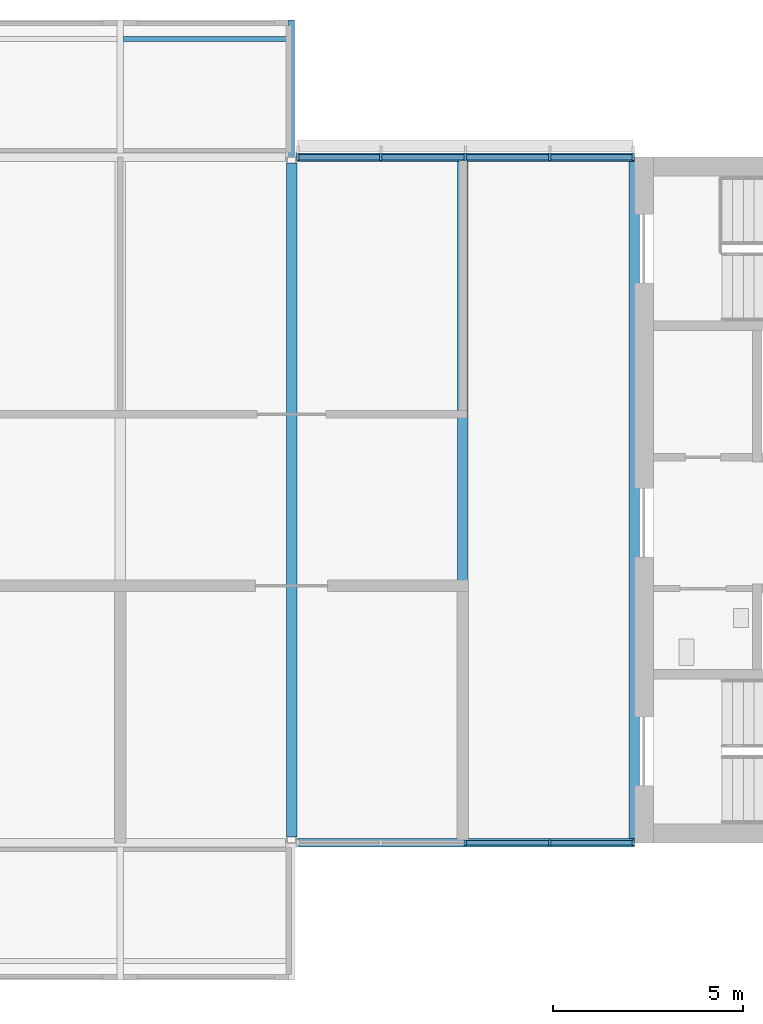
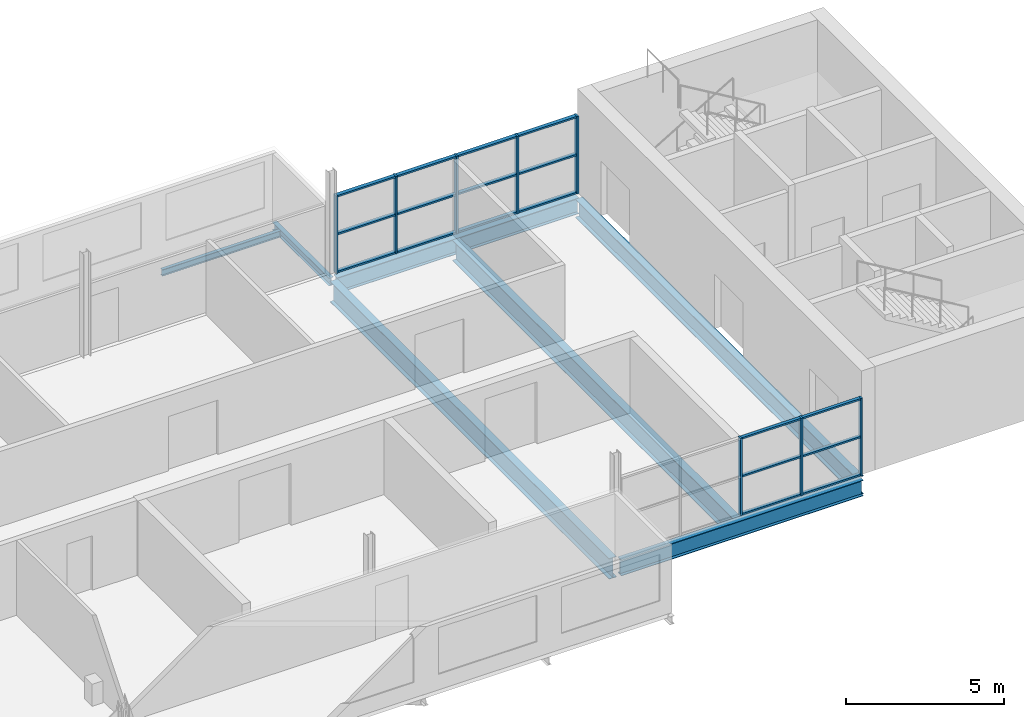
# One storey, part 3 of 10: 26 members, 7 beams, 2 elements without a shape of their own.
"""IFC4 building model written with IfcOpenShell, lengths in metres."""

from ifc_helpers import new_model, si_unit, direction, frame, origin, origin_2d, place, context, subcontext, project, spatial, rectangle, i_section, extrude, material, layer, layer_set, material_profile, profile_set, type_object, element, aggregate, save


model = new_model("IFC4")

# Units and contexts
model_context = context("Model", 3, precision=1e-05, world=origin(), true_north=direction((0.0, 1.0)))
body_context = subcontext(model_context, "Body", "Model", "MODEL_VIEW")
ifc_project = project(units=[si_unit("LENGTHUNIT", "METRE"), si_unit("AREAUNIT", "SQUARE_METRE"), si_unit("VOLUMEUNIT", "CUBIC_METRE"), si_unit("PLANEANGLEUNIT", "RADIAN"), si_unit("MASSUNIT", "GRAM", prefix="KILO")], contexts=[model_context])

# Site, building, storey
site_placement = place(None, origin())
site = spatial("IfcSite", under=ifc_project, at=site_placement, CompositionType="ELEMENT")
building_placement = place(site_placement, origin())
building = spatial("IfcBuilding", under=site, at=building_placement, Name="Corbel Yard City Hall", CompositionType="ELEMENT")
storey_placement = place(building_placement, frame((0.0, 0.0, 67.199951171875)))
storey = spatial("IfcBuildingStorey", under=building, at=storey_placement, Name="L16", CompositionType="ELEMENT", Elevation=67.199951171875)

# Beams
ifc_material_1 = material(Name="Steel Grade 300 (300 MPa yield)", Category="steel")
ifc_material_profile_1 = material_profile(ifc_material_1, i_section(OverallWidth=0.22900390625, OverallDepth=0.612060546875, WebThickness=0.011962890625, FlangeThickness=0.01953125, at=origin_2d()), Name="610UB125")
ifc_profile_set_1 = profile_set([ifc_material_profile_1], Name="Steel Grade 300 (300 MPa yield)")
beam_type_1 = type_object("IfcBeamType", Name="Edge beam 610UB125", PredefinedType="BEAM", material=ifc_profile_set_1)
for number, where, z_axis, x_axis, name in (
    (1, (36.157470703125, 99.0, -0.4560546875), (1.0, 0.0, 0.0), (0.0, 1.0, 0.0), "Edge beam 610UB125 EB7 L16tower"),
    (2, (36.157470703125, 117.0, -0.4560546875), (1.0, 0.0, 0.0), (0.0, 1.0, 0.0), "Edge beam 610UB125 EB7 L16tower"),
):
    element("IfcBeam", number, at=place(storey_placement, frame(where, z_axis=z_axis, x_axis=x_axis)), inside=storey, type_object=beam_type_1, Name=name, PredefinedType="BEAM", context=body_context, shape_type="SweptSolid", body=[
        extrude(i_section(OverallWidth=0.22900390625, OverallDepth=0.612060546875, WebThickness=0.011962890625, FlangeThickness=0.01953125, at=origin_2d()), origin(), (0.0, 0.0, 1.0), 8.842529296875),
    ])
ifc_material_2 = material(Name="Steel Grade 350", Category="steel")
ifc_material_profile_2 = material_profile(ifc_material_2, i_section(OverallWidth=0.27490234375, OverallDepth=0.800048828125, WebThickness=0.010009765625, FlangeThickness=0.02001953125, at=origin_2d()), Name="800WB146")
ifc_profile_set_2 = profile_set([ifc_material_profile_2], Name="Steel Grade 350")
beam_type_2 = type_object("IfcBeamType", Name="Long-span beam 800WB146", PredefinedType="BEAM", material=ifc_profile_set_2)
beam_1_placement = place(storey_placement, frame((36.0, 99.153564453125, -0.550048828125), z_axis=(0.0, 1.0, 0.0), x_axis=(-1.0, 0.0, 0.0)))
element("IfcBeam", 3, at=beam_1_placement, inside=storey, type_object=beam_type_2, Name="Long-span beam 800WB146 SB8 L16tower", PredefinedType="BEAM", context=body_context, shape_type="SweptSolid", body=[
    extrude(i_section(OverallWidth=0.27490234375, OverallDepth=0.800048828125, WebThickness=0.010009765625, FlangeThickness=0.02001953125, at=origin_2d()), origin(), (0.0, 0.0, 1.0), 17.69287109375),
])
ifc_material_profile_3 = material_profile(ifc_material_2, i_section(OverallWidth=0.27490234375, OverallDepth=0.716064453125, WebThickness=0.010009765625, FlangeThickness=0.028076171875, at=origin_2d()), Name="700WB173")
ifc_profile_set_3 = profile_set([ifc_material_profile_3], Name="Steel Grade 350")
beam_type_3 = type_object("IfcBeamType", Name="Long-span edge beam 700WB173", PredefinedType="BEAM", material=ifc_profile_set_3)
beam_2_placement = place(storey_placement, frame((45.0, 99.114501953125, -0.508056640625), z_axis=(0.0, 1.0, 0.0), x_axis=(-1.0, 0.0, 0.0)))
element("IfcBeam", 4, at=beam_2_placement, inside=storey, type_object=beam_type_3, Name="Long-span edge beam 700WB173 EB10 L16tower", PredefinedType="BEAM", context=body_context, shape_type="SweptSolid", body=[
    extrude(i_section(OverallWidth=0.27490234375, OverallDepth=0.716064453125, WebThickness=0.010009765625, FlangeThickness=0.028076171875, at=origin_2d()), origin(), (0.0, 0.0, 1.0), 17.77099609375),
])
ifc_material_profile_4 = material_profile(ifc_material_2, i_section(OverallWidth=0.27490234375, OverallDepth=0.800048828125, WebThickness=0.010009765625, FlangeThickness=0.02001953125, at=origin_2d()), Name="800WB146")
ifc_profile_set_4 = profile_set([ifc_material_profile_4], Name="Steel Grade 350")
beam_type_4 = type_object("IfcBeamType", Name="Long-span secondary beam 800WB146", PredefinedType="JOIST", material=ifc_profile_set_4)
beam_3_placement = place(storey_placement, frame((40.5, 99.114501953125, -0.550048828125), z_axis=(0.0, 1.0, 0.0), x_axis=(-1.0, 0.0, 0.0)))
element("IfcBeam", 5, at=beam_3_placement, inside=storey, type_object=beam_type_4, Name="Long-span secondary beam 800WB146 SB7 L16tower", PredefinedType="JOIST", context=body_context, shape_type="SweptSolid", body=[
    extrude(i_section(OverallWidth=0.27490234375, OverallDepth=0.800048828125, WebThickness=0.010009765625, FlangeThickness=0.02001953125, at=origin_2d()), origin(), (0.0, 0.0, 1.0), 17.77099609375),
])

# Curtain wall, members
ifc_material_3 = material(Name="Aluminium extrusion", Category="aluminium")
ifc_layer_1 = layer(ifc_material_3, 0.14990234375)
ifc_layer_set_1 = layer_set([ifc_layer_1], Name="Aluminium extrusion")
curtain_wall_type_1 = type_object("IfcCurtainWallType", Name="CW2", PredefinedType="USERDEFINED", material=ifc_layer_set_1)
curtain_wall_1_placement = place(storey_placement, origin())
curtain_wall_1 = element("IfcCurtainWall", 6, at=curtain_wall_1_placement, inside=storey, type_object=curtain_wall_type_1, Name="Curtain wall CW2 L16", ObjectType="CURTAIN WALL", PredefinedType="USERDEFINED")
ifc_material_profile_5 = material_profile(ifc_material_3, rectangle(XDim=0.14990234375, YDim=0.06494140625, at=origin_2d()), Name="150x65")
ifc_profile_set_5 = profile_set([ifc_material_profile_5], Name="Aluminium extrusion")
member_type_1 = type_object("IfcMemberType", Name="ML2", PredefinedType="MULLION", material=ifc_profile_set_5)
member_1_placement = place(storey_placement, frame((40.56494140625, 99.0, 0.0), z_axis=(0.0, 0.0, 1.0), x_axis=(0.0, 1.0, 0.0)))
member_1 = element("IfcMember", 7, at=member_1_placement, type_object=member_type_1, Name="CW2 mullion 3", PredefinedType="MULLION", context=body_context, shape_type="SweptSolid", body=[
    extrude(rectangle(XDim=0.14990234375, YDim=0.06494140625, at=origin_2d()), origin(), (0.0, 0.0, 1.0), 3.0),
])
member_2_placement = place(storey_placement, frame((42.782470703125, 99.0, 0.0), z_axis=(0.0, 0.0, 1.0), x_axis=(0.0, 1.0, 0.0)))
member_2 = element("IfcMember", 8, at=member_2_placement, type_object=member_type_1, Name="CW2 mullion 4", PredefinedType="MULLION", context=body_context, shape_type="SweptSolid", body=[
    extrude(rectangle(XDim=0.14990234375, YDim=0.06494140625, at=origin_2d()), origin(), (0.0, 0.0, 1.0), 3.0),
])
member_3_placement = place(storey_placement, frame((44.967529296875, 99.0, 0.0), z_axis=(0.0, 0.0, 1.0), x_axis=(0.0, 1.0, 0.0)))
member_3 = element("IfcMember", 9, at=member_3_placement, type_object=member_type_1, Name="CW2 mullion 5", PredefinedType="MULLION", context=body_context, shape_type="SweptSolid", body=[
    extrude(rectangle(XDim=0.14990234375, YDim=0.06494140625, at=origin_2d()), origin(), (0.0, 0.0, 1.0), 3.0),
])

ifc_layer_2 = layer(ifc_material_3, 0.179931640625)
ifc_layer_set_2 = layer_set([ifc_layer_2], Name="Aluminium extrusion")
curtain_wall_type_2 = type_object("IfcCurtainWallType", Name="CW6", PredefinedType="USERDEFINED", material=ifc_layer_set_2)
curtain_wall_2_placement = place(storey_placement, origin())
curtain_wall_2 = element("IfcCurtainWall", 10, at=curtain_wall_2_placement, inside=storey, type_object=curtain_wall_type_2, Name="Curtain wall CW6 L16", ObjectType="CURTAIN WALL", PredefinedType="USERDEFINED")
ifc_material_profile_6 = material_profile(ifc_material_3, rectangle(XDim=0.179931640625, YDim=0.06494140625, at=origin_2d()), Name="180x65")
ifc_profile_set_6 = profile_set([ifc_material_profile_6], Name="Aluminium extrusion")
member_type_2 = type_object("IfcMemberType", Name="ML6", PredefinedType="MULLION", material=ifc_profile_set_6)
member_4_placement = place(storey_placement, frame((36.16259765625, 117.0, 0.0), z_axis=(0.0, 0.0, 1.0), x_axis=(0.0, 1.0, 0.0)))
member_4 = element("IfcMember", 11, at=member_4_placement, type_object=member_type_2, Name="CW6 mullion 1", PredefinedType="MULLION", context=body_context, shape_type="SweptSolid", body=[
    extrude(rectangle(XDim=0.179931640625, YDim=0.06494140625, at=origin_2d()), origin(), (0.0, 0.0, 1.0), 3.0),
])
member_5_placement = place(storey_placement, frame((38.347412109375, 117.0, 0.0), z_axis=(0.0, 0.0, 1.0), x_axis=(0.0, 1.0, 0.0)))
member_5 = element("IfcMember", 12, at=member_5_placement, type_object=member_type_2, Name="CW6 mullion 2", PredefinedType="MULLION", context=body_context, shape_type="SweptSolid", body=[
    extrude(rectangle(XDim=0.179931640625, YDim=0.06494140625, at=origin_2d()), origin(), (0.0, 0.0, 1.0), 3.0),
])
member_6_placement = place(storey_placement, frame((40.56494140625, 117.0, 0.0), z_axis=(0.0, 0.0, 1.0), x_axis=(0.0, 1.0, 0.0)))
member_6 = element("IfcMember", 13, at=member_6_placement, type_object=member_type_2, Name="CW6 mullion 3", PredefinedType="MULLION", context=body_context, shape_type="SweptSolid", body=[
    extrude(rectangle(XDim=0.179931640625, YDim=0.06494140625, at=origin_2d()), origin(), (0.0, 0.0, 1.0), 3.0),
])
member_7_placement = place(storey_placement, frame((42.782470703125, 117.0, 0.0), z_axis=(0.0, 0.0, 1.0), x_axis=(0.0, 1.0, 0.0)))
member_7 = element("IfcMember", 14, at=member_7_placement, type_object=member_type_2, Name="CW6 mullion 4", PredefinedType="MULLION", context=body_context, shape_type="SweptSolid", body=[
    extrude(rectangle(XDim=0.179931640625, YDim=0.06494140625, at=origin_2d()), origin(), (0.0, 0.0, 1.0), 3.0),
])
member_8_placement = place(storey_placement, frame((44.967529296875, 117.0, 0.0), z_axis=(0.0, 0.0, 1.0), x_axis=(0.0, 1.0, 0.0)))
member_8 = element("IfcMember", 15, at=member_8_placement, type_object=member_type_2, Name="CW6 mullion 5", PredefinedType="MULLION", context=body_context, shape_type="SweptSolid", body=[
    extrude(rectangle(XDim=0.179931640625, YDim=0.06494140625, at=origin_2d()), origin(), (0.0, 0.0, 1.0), 3.0),
])

# Beams
ifc_material_profile_7 = material_profile(ifc_material_1, i_section(OverallWidth=0.166015625, OverallDepth=0.306884765625, WebThickness=0.006591796875, FlangeThickness=0.01171875, at=origin_2d()), Name="310UB46.2")
ifc_profile_set_7 = profile_set([ifc_material_profile_7], Name="Steel Grade 300 (300 MPa yield)")
beam_type_5 = type_object("IfcBeamType", Name="Pod stub beam 310UB46.2", PredefinedType="BEAM", material=ifc_profile_set_7)
beam_4_placement = place(storey_placement, frame((36.0, 117.00537109375, -0.303466796875), z_axis=(0.0, 1.0, 0.0), x_axis=(-1.0, 0.0, 0.0)))
element("IfcBeam", 16, at=beam_4_placement, inside=storey, type_object=beam_type_5, Name="Pod stub 310UB46.2 CB1 L16", PredefinedType="BEAM", context=body_context, shape_type="SweptSolid", body=[
    extrude(i_section(OverallWidth=0.166015625, OverallDepth=0.306884765625, WebThickness=0.006591796875, FlangeThickness=0.01171875, at=origin_2d()), origin(), (0.0, 0.0, 1.0), 3.5947265625),
])
ifc_material_profile_8 = material_profile(ifc_material_1, i_section(OverallWidth=0.1240234375, OverallDepth=0.248046875, WebThickness=0.0048828125, FlangeThickness=0.008056640625, at=origin_2d()), Name="250UB25.7")
ifc_profile_set_8 = profile_set([ifc_material_profile_8], Name="Steel Grade 300 (300 MPa yield)")
beam_type_6 = type_object("IfcBeamType", Name="Pod tip beam", PredefinedType="BEAM", material=ifc_profile_set_8)
beam_5_placement = place(storey_placement, frame((31.5830078125, 120.10009765625, -0.27392578125), z_axis=(1.0, 0.0, 0.0), x_axis=(0.0, 1.0, 0.0)))
element("IfcBeam", 17, at=beam_5_placement, inside=storey, type_object=beam_type_6, Name="Pod tip beam", PredefinedType="BEAM", context=body_context, shape_type="SweptSolid", body=[
    extrude(i_section(OverallWidth=0.1240234375, OverallDepth=0.248046875, WebThickness=0.0048828125, FlangeThickness=0.008056640625, at=origin_2d()), origin(), (0.0, 0.0, 1.0), 4.333984375),
])

# Member
ifc_material_profile_9 = material_profile(ifc_material_3, rectangle(XDim=0.1201171875, YDim=0.06494140625, at=origin_2d()), Name="120x65")
ifc_profile_set_9 = profile_set([ifc_material_profile_9], Name="Aluminium extrusion")
member_type_3 = type_object("IfcMemberType", Name="TR2", PredefinedType="USERDEFINED", material=ifc_profile_set_9)
member_9_placement = place(storey_placement, frame((40.597412109375, 99.0, 0.032470703125), z_axis=(1.0, 0.0, 0.0), x_axis=(0.0, 1.0, 0.0)))
member_9 = element("IfcMember", 18, at=member_9_placement, type_object=member_type_3, Name="CW2 transom 3.1", ObjectType="TRANSOM", PredefinedType="USERDEFINED", context=body_context, shape_type="SweptSolid", body=[
    extrude(rectangle(XDim=0.1201171875, YDim=0.06494140625, at=origin_2d()), origin(), (0.0, 0.0, 1.0), 2.152587890625),
])

member_10_placement = place(storey_placement, frame((40.597412109375, 99.0, 1.5), z_axis=(1.0, 0.0, 0.0), x_axis=(0.0, 1.0, 0.0)))
member_10 = element("IfcMember", 19, at=member_10_placement, type_object=member_type_3, Name="CW2 transom 3.2", ObjectType="TRANSOM", PredefinedType="USERDEFINED", context=body_context, shape_type="SweptSolid", body=[
    extrude(rectangle(XDim=0.1201171875, YDim=0.06494140625, at=origin_2d()), origin(), (0.0, 0.0, 1.0), 2.152587890625),
])

member_11_placement = place(storey_placement, frame((40.597412109375, 99.0, 2.967529296875), z_axis=(1.0, 0.0, 0.0), x_axis=(0.0, 1.0, 0.0)))
member_11 = element("IfcMember", 20, at=member_11_placement, type_object=member_type_3, Name="CW2 transom 3.3", ObjectType="TRANSOM", PredefinedType="USERDEFINED", context=body_context, shape_type="SweptSolid", body=[
    extrude(rectangle(XDim=0.1201171875, YDim=0.06494140625, at=origin_2d()), origin(), (0.0, 0.0, 1.0), 2.152587890625),
])

member_12_placement = place(storey_placement, frame((42.81494140625, 99.0, 0.032470703125), z_axis=(1.0, 0.0, 0.0), x_axis=(0.0, 1.0, 0.0)))
member_12 = element("IfcMember", 21, at=member_12_placement, type_object=member_type_3, Name="CW2 transom 4.1", ObjectType="TRANSOM", PredefinedType="USERDEFINED", context=body_context, shape_type="SweptSolid", body=[
    extrude(rectangle(XDim=0.1201171875, YDim=0.06494140625, at=origin_2d()), origin(), (0.0, 0.0, 1.0), 2.1201171875),
])

member_13_placement = place(storey_placement, frame((42.81494140625, 99.0, 1.5), z_axis=(1.0, 0.0, 0.0), x_axis=(0.0, 1.0, 0.0)))
member_13 = element("IfcMember", 22, at=member_13_placement, type_object=member_type_3, Name="CW2 transom 4.2", ObjectType="TRANSOM", PredefinedType="USERDEFINED", context=body_context, shape_type="SweptSolid", body=[
    extrude(rectangle(XDim=0.1201171875, YDim=0.06494140625, at=origin_2d()), origin(), (0.0, 0.0, 1.0), 2.1201171875),
])

member_14_placement = place(storey_placement, frame((42.81494140625, 99.0, 2.967529296875), z_axis=(1.0, 0.0, 0.0), x_axis=(0.0, 1.0, 0.0)))
member_14 = element("IfcMember", 23, at=member_14_placement, type_object=member_type_3, Name="CW2 transom 4.3", ObjectType="TRANSOM", PredefinedType="USERDEFINED", context=body_context, shape_type="SweptSolid", body=[
    extrude(rectangle(XDim=0.1201171875, YDim=0.06494140625, at=origin_2d()), origin(), (0.0, 0.0, 1.0), 2.1201171875),
])

aggregate(curtain_wall_1, [member_1, member_2, member_3, member_9, member_10, member_11, member_12, member_13, member_14])

ifc_material_profile_10 = material_profile(ifc_material_3, rectangle(XDim=0.139892578125, YDim=0.06494140625, at=origin_2d()), Name="140x65")
ifc_profile_set_10 = profile_set([ifc_material_profile_10], Name="Aluminium extrusion")
member_type_4 = type_object("IfcMemberType", Name="TR6", PredefinedType="USERDEFINED", material=ifc_profile_set_10)
member_15_placement = place(storey_placement, frame((36.195068359375, 117.0, 0.032470703125), z_axis=(1.0, 0.0, 0.0), x_axis=(0.0, 1.0, 0.0)))
member_15 = element("IfcMember", 24, at=member_15_placement, type_object=member_type_4, Name="CW6 transom 1.1", ObjectType="TRANSOM", PredefinedType="USERDEFINED", context=body_context, shape_type="SweptSolid", body=[
    extrude(rectangle(XDim=0.139892578125, YDim=0.06494140625, at=origin_2d()), origin(), (0.0, 0.0, 1.0), 2.119873046875),
])

member_16_placement = place(storey_placement, frame((36.195068359375, 117.0, 1.5), z_axis=(1.0, 0.0, 0.0), x_axis=(0.0, 1.0, 0.0)))
member_16 = element("IfcMember", 25, at=member_16_placement, type_object=member_type_4, Name="CW6 transom 1.2", ObjectType="TRANSOM", PredefinedType="USERDEFINED", context=body_context, shape_type="SweptSolid", body=[
    extrude(rectangle(XDim=0.139892578125, YDim=0.06494140625, at=origin_2d()), origin(), (0.0, 0.0, 1.0), 2.119873046875),
])

member_17_placement = place(storey_placement, frame((36.195068359375, 117.0, 2.967529296875), z_axis=(1.0, 0.0, 0.0), x_axis=(0.0, 1.0, 0.0)))
member_17 = element("IfcMember", 26, at=member_17_placement, type_object=member_type_4, Name="CW6 transom 1.3", ObjectType="TRANSOM", PredefinedType="USERDEFINED", context=body_context, shape_type="SweptSolid", body=[
    extrude(rectangle(XDim=0.139892578125, YDim=0.06494140625, at=origin_2d()), origin(), (0.0, 0.0, 1.0), 2.119873046875),
])

member_18_placement = place(storey_placement, frame((38.3798828125, 117.0, 0.032470703125), z_axis=(1.0, 0.0, 0.0), x_axis=(0.0, 1.0, 0.0)))
member_18 = element("IfcMember", 27, at=member_18_placement, type_object=member_type_4, Name="CW6 transom 2.1", ObjectType="TRANSOM", PredefinedType="USERDEFINED", context=body_context, shape_type="SweptSolid", body=[
    extrude(rectangle(XDim=0.139892578125, YDim=0.06494140625, at=origin_2d()), origin(), (0.0, 0.0, 1.0), 2.152587890625),
])

member_19_placement = place(storey_placement, frame((38.3798828125, 117.0, 1.5), z_axis=(1.0, 0.0, 0.0), x_axis=(0.0, 1.0, 0.0)))
member_19 = element("IfcMember", 28, at=member_19_placement, type_object=member_type_4, Name="CW6 transom 2.2", ObjectType="TRANSOM", PredefinedType="USERDEFINED", context=body_context, shape_type="SweptSolid", body=[
    extrude(rectangle(XDim=0.139892578125, YDim=0.06494140625, at=origin_2d()), origin(), (0.0, 0.0, 1.0), 2.152587890625),
])

member_20_placement = place(storey_placement, frame((38.3798828125, 117.0, 2.967529296875), z_axis=(1.0, 0.0, 0.0), x_axis=(0.0, 1.0, 0.0)))
member_20 = element("IfcMember", 29, at=member_20_placement, type_object=member_type_4, Name="CW6 transom 2.3", ObjectType="TRANSOM", PredefinedType="USERDEFINED", context=body_context, shape_type="SweptSolid", body=[
    extrude(rectangle(XDim=0.139892578125, YDim=0.06494140625, at=origin_2d()), origin(), (0.0, 0.0, 1.0), 2.152587890625),
])

member_21_placement = place(storey_placement, frame((40.597412109375, 117.0, 0.032470703125), z_axis=(1.0, 0.0, 0.0), x_axis=(0.0, 1.0, 0.0)))
member_21 = element("IfcMember", 30, at=member_21_placement, type_object=member_type_4, Name="CW6 transom 3.1", ObjectType="TRANSOM", PredefinedType="USERDEFINED", context=body_context, shape_type="SweptSolid", body=[
    extrude(rectangle(XDim=0.139892578125, YDim=0.06494140625, at=origin_2d()), origin(), (0.0, 0.0, 1.0), 2.152587890625),
])

member_22_placement = place(storey_placement, frame((40.597412109375, 117.0, 1.5), z_axis=(1.0, 0.0, 0.0), x_axis=(0.0, 1.0, 0.0)))
member_22 = element("IfcMember", 31, at=member_22_placement, type_object=member_type_4, Name="CW6 transom 3.2", ObjectType="TRANSOM", PredefinedType="USERDEFINED", context=body_context, shape_type="SweptSolid", body=[
    extrude(rectangle(XDim=0.139892578125, YDim=0.06494140625, at=origin_2d()), origin(), (0.0, 0.0, 1.0), 2.152587890625),
])

member_23_placement = place(storey_placement, frame((40.597412109375, 117.0, 2.967529296875), z_axis=(1.0, 0.0, 0.0), x_axis=(0.0, 1.0, 0.0)))
member_23 = element("IfcMember", 32, at=member_23_placement, type_object=member_type_4, Name="CW6 transom 3.3", ObjectType="TRANSOM", PredefinedType="USERDEFINED", context=body_context, shape_type="SweptSolid", body=[
    extrude(rectangle(XDim=0.139892578125, YDim=0.06494140625, at=origin_2d()), origin(), (0.0, 0.0, 1.0), 2.152587890625),
])

member_24_placement = place(storey_placement, frame((42.81494140625, 117.0, 0.032470703125), z_axis=(1.0, 0.0, 0.0), x_axis=(0.0, 1.0, 0.0)))
member_24 = element("IfcMember", 33, at=member_24_placement, type_object=member_type_4, Name="CW6 transom 4.1", ObjectType="TRANSOM", PredefinedType="USERDEFINED", context=body_context, shape_type="SweptSolid", body=[
    extrude(rectangle(XDim=0.139892578125, YDim=0.06494140625, at=origin_2d()), origin(), (0.0, 0.0, 1.0), 2.1201171875),
])

member_25_placement = place(storey_placement, frame((42.81494140625, 117.0, 1.5), z_axis=(1.0, 0.0, 0.0), x_axis=(0.0, 1.0, 0.0)))
member_25 = element("IfcMember", 34, at=member_25_placement, type_object=member_type_4, Name="CW6 transom 4.2", ObjectType="TRANSOM", PredefinedType="USERDEFINED", context=body_context, shape_type="SweptSolid", body=[
    extrude(rectangle(XDim=0.139892578125, YDim=0.06494140625, at=origin_2d()), origin(), (0.0, 0.0, 1.0), 2.1201171875),
])

member_26_placement = place(storey_placement, frame((42.81494140625, 117.0, 2.967529296875), z_axis=(1.0, 0.0, 0.0), x_axis=(0.0, 1.0, 0.0)))
member_26 = element("IfcMember", 35, at=member_26_placement, type_object=member_type_4, Name="CW6 transom 4.3", ObjectType="TRANSOM", PredefinedType="USERDEFINED", context=body_context, shape_type="SweptSolid", body=[
    extrude(rectangle(XDim=0.139892578125, YDim=0.06494140625, at=origin_2d()), origin(), (0.0, 0.0, 1.0), 2.1201171875),
])

aggregate(curtain_wall_2, [member_4, member_5, member_6, member_7, member_8, member_15, member_16, member_17, member_18, member_19, member_20, member_21, member_22, member_23, member_24, member_25, member_26])

save(model, "model.ifc")
